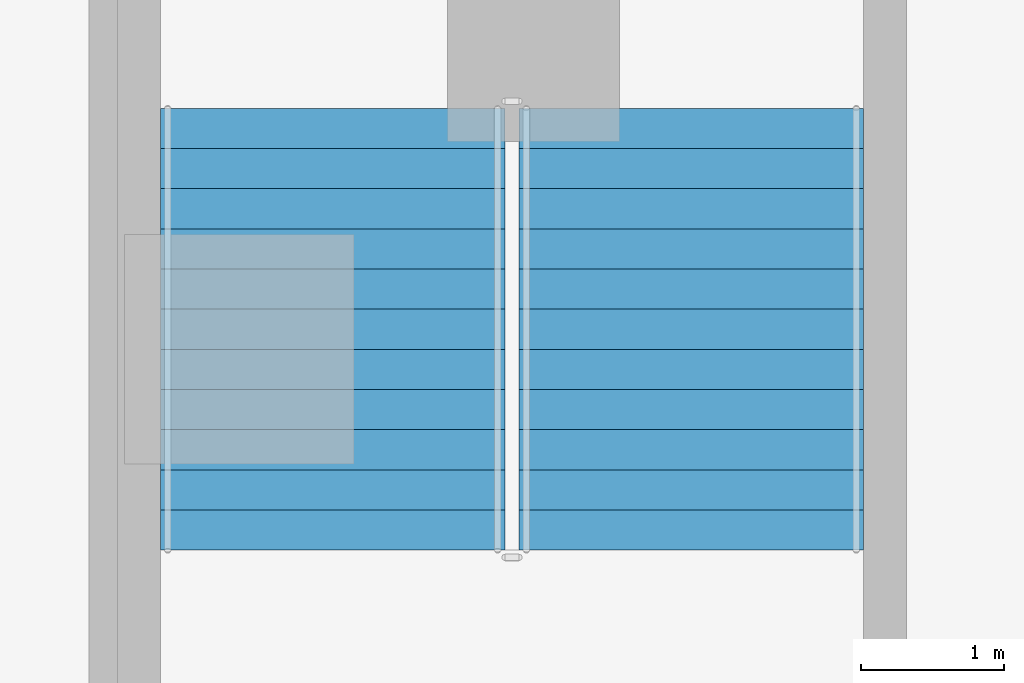
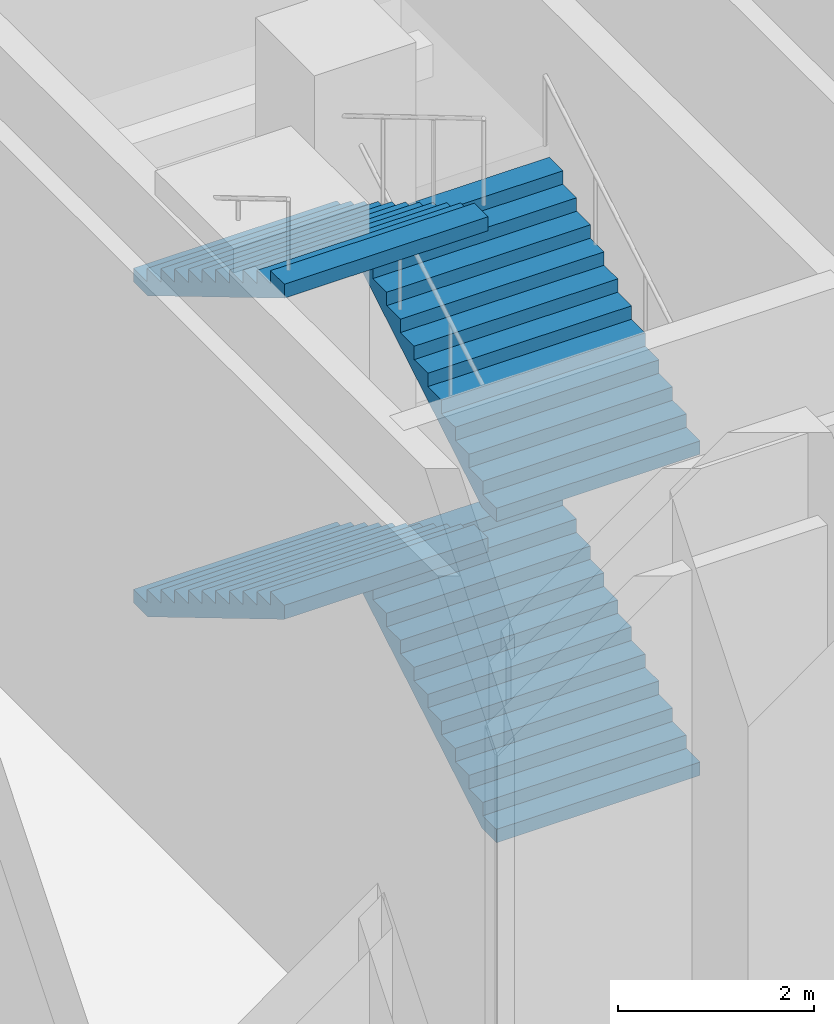
# One storey, part 42 of 54: 4 stair flights, 1 element without a shape of its own.
"""IFC4 building model written with IfcOpenShell, lengths in metres."""

from ifc_helpers import new_model, si_unit, direction, frame, origin, place, context, subcontext, project, spatial, triangles, source, transform, mapped, material, type_object, element, aggregate, save


model = new_model("IFC4")

# Units and contexts
model_context = context("Model", 3, precision=1e-05, world=origin(), true_north=direction((0.0, 1.0)))
body_context = subcontext(model_context, "Body", "Model", "MODEL_VIEW")
ifc_project = project(units=[si_unit("LENGTHUNIT", "METRE"), si_unit("AREAUNIT", "SQUARE_METRE"), si_unit("VOLUMEUNIT", "CUBIC_METRE"), si_unit("PLANEANGLEUNIT", "RADIAN"), si_unit("MASSUNIT", "GRAM", prefix="KILO")], contexts=[model_context])

# Site, building, storey
site_placement = place(None, origin())
site = spatial("IfcSite", under=ifc_project, at=site_placement, CompositionType="ELEMENT")
building_placement = place(site_placement, origin())
building = spatial("IfcBuilding", under=site, at=building_placement, Name="Ogive Portal Towers", CompositionType="ELEMENT")
storey_placement = place(building_placement, origin())
storey = spatial("IfcBuildingStorey", under=building, at=storey_placement, Name="L00", CompositionType="ELEMENT", Elevation=0.0)

# Stair, stair flights
ifc_material = material(Name="Concrete C40/50", Category="concrete")
stair_type = type_object("IfcStairType", Name="INT-STAIR", PredefinedType="HALF_TURN_STAIR", material=ifc_material)
stair_placement = place(storey_placement, origin())
stair = element("IfcStair", 1, at=stair_placement, inside=storey, type_object=stair_type, Name="L00 Exit Stair ST-P1", PredefinedType="HALF_TURN_STAIR")
stair_flight_type = type_object("IfcStairFlightType", Name="INT-FLIGHT", PredefinedType="STRAIGHT", material=ifc_material)
shared_shape = source(origin(), body_context, "Body", "Tessellation", [
    triangles([(0.0, -1.199951171875, 0.0), (0.0, -0.6943359375, 0.0), (0.0, -0.35546875, 0.0), (0.0, -0.14990234375, 0.0), (0.0, -0.04443359375, 0.0), (0.0, -0.005615234375, 0.0), (0.0, 0.0, 0.0), (0.0, 0.005615234375, 0.0), (0.0, 0.04443359375, 0.0), (0.0, 0.14990234375, 0.0), (0.0, 0.35546875, 0.0), (0.0, 0.6943359375, 0.0), (0.0, 1.199951171875, 0.0), (0.0, -1.199951171875, 0.166748046875), (0.0, -0.6943359375, 0.166748046875), (0.0, -0.35546875, 0.166748046875), (0.0, -0.14990234375, 0.166748046875), (0.0, -0.04443359375, 0.166748046875), (0.0, -0.005615234375, 0.166748046875), (0.0, 0.0, 0.166748046875), (0.0, 0.005615234375, 0.166748046875), (0.0, 0.04443359375, 0.166748046875), (0.0, 0.14990234375, 0.166748046875), (0.0, 0.35546875, 0.166748046875), (0.0, 0.6943359375, 0.166748046875), (0.0, 1.199951171875, 0.166748046875), (0.280029296875, -1.199951171875, 0.166748046875), (0.280029296875, -0.6943359375, 0.166748046875), (0.280029296875, -0.35546875, 0.166748046875), (0.280029296875, -0.14990234375, 0.166748046875), (0.280029296875, -0.04443359375, 0.166748046875), (0.280029296875, -0.005615234375, 0.166748046875), (0.280029296875, 0.0, 0.166748046875), (0.280029296875, 0.005615234375, 0.166748046875), (0.280029296875, 0.04443359375, 0.166748046875), (0.280029296875, 0.14990234375, 0.166748046875), (0.280029296875, 0.35546875, 0.166748046875), (0.280029296875, 0.6943359375, 0.166748046875), (0.280029296875, 1.199951171875, 0.166748046875), (0.280029296875, -1.199951171875, 0.333251953125), (0.280029296875, -0.6943359375, 0.333251953125), (0.280029296875, -0.35546875, 0.333251953125), (0.280029296875, -0.14990234375, 0.333251953125), (0.280029296875, -0.04443359375, 0.333251953125), (0.280029296875, -0.005615234375, 0.333251953125), (0.280029296875, 0.0, 0.333251953125), (0.280029296875, 0.005615234375, 0.333251953125), (0.280029296875, 0.04443359375, 0.333251953125), (0.280029296875, 0.14990234375, 0.333251953125), (0.280029296875, 0.35546875, 0.333251953125), (0.280029296875, 0.6943359375, 0.333251953125), (0.280029296875, 1.199951171875, 0.333251953125), (0.56005859375, -1.199951171875, 0.333251953125), (0.56005859375, -0.6943359375, 0.333251953125), (0.56005859375, -0.35546875, 0.333251953125), (0.56005859375, -0.14990234375, 0.333251953125), (0.56005859375, -0.04443359375, 0.333251953125), (0.56005859375, -0.005615234375, 0.333251953125), (0.56005859375, 0.0, 0.333251953125), (0.56005859375, 0.005615234375, 0.333251953125), (0.56005859375, 0.04443359375, 0.333251953125), (0.56005859375, 0.14990234375, 0.333251953125), (0.56005859375, 0.35546875, 0.333251953125), (0.56005859375, 0.6943359375, 0.333251953125), (0.56005859375, 1.199951171875, 0.333251953125), (0.56005859375, -1.199951171875, 0.5), (0.56005859375, -0.6943359375, 0.5), (0.56005859375, -0.35546875, 0.5), (0.56005859375, -0.14990234375, 0.5), (0.56005859375, -0.04443359375, 0.5), (0.56005859375, -0.005615234375, 0.5), (0.56005859375, 0.0, 0.5), (0.56005859375, 0.005615234375, 0.5), (0.56005859375, 0.04443359375, 0.5), (0.56005859375, 0.14990234375, 0.5), (0.56005859375, 0.35546875, 0.5), (0.56005859375, 0.6943359375, 0.5), (0.56005859375, 1.199951171875, 0.5), (0.840087890625, -1.199951171875, 0.5), (0.840087890625, -0.6943359375, 0.5), (0.840087890625, -0.35546875, 0.5), (0.840087890625, -0.14990234375, 0.5), (0.840087890625, -0.04443359375, 0.5), (0.840087890625, -0.005615234375, 0.5), (0.840087890625, 0.0, 0.5), (0.840087890625, 0.005615234375, 0.5), (0.840087890625, 0.04443359375, 0.5), (0.840087890625, 0.14990234375, 0.5), (0.840087890625, 0.35546875, 0.5), (0.840087890625, 0.6943359375, 0.5), (0.840087890625, 1.199951171875, 0.5), (0.840087890625, -1.199951171875, 0.666748046875), (0.840087890625, -0.6943359375, 0.666748046875), (0.840087890625, -0.35546875, 0.666748046875), (0.840087890625, -0.14990234375, 0.666748046875), (0.840087890625, -0.04443359375, 0.666748046875), (0.840087890625, -0.005615234375, 0.666748046875), (0.840087890625, 0.0, 0.666748046875), (0.840087890625, 0.005615234375, 0.666748046875), (0.840087890625, 0.04443359375, 0.666748046875), (0.840087890625, 0.14990234375, 0.666748046875), (0.840087890625, 0.35546875, 0.666748046875), (0.840087890625, 0.6943359375, 0.666748046875), (0.840087890625, 1.199951171875, 0.666748046875), (1.1201171875, -1.199951171875, 0.666748046875), (1.1201171875, -0.6943359375, 0.666748046875), (1.1201171875, -0.35546875, 0.666748046875), (1.1201171875, -0.14990234375, 0.666748046875), (1.1201171875, -0.04443359375, 0.666748046875), (1.1201171875, -0.005615234375, 0.666748046875), (1.1201171875, 0.0, 0.666748046875), (1.1201171875, 0.005615234375, 0.666748046875), (1.1201171875, 0.04443359375, 0.666748046875), (1.1201171875, 0.14990234375, 0.666748046875), (1.1201171875, 0.35546875, 0.666748046875), (1.1201171875, 0.6943359375, 0.666748046875), (1.1201171875, 1.199951171875, 0.666748046875), (1.1201171875, -1.199951171875, 0.833251953125), (1.1201171875, -0.6943359375, 0.833251953125), (1.1201171875, -0.35546875, 0.833251953125), (1.1201171875, -0.14990234375, 0.833251953125), (1.1201171875, -0.04443359375, 0.833251953125), (1.1201171875, -0.005615234375, 0.833251953125), (1.1201171875, 0.0, 0.833251953125), (1.1201171875, 0.005615234375, 0.833251953125), (1.1201171875, 0.04443359375, 0.833251953125), (1.1201171875, 0.14990234375, 0.833251953125), (1.1201171875, 0.35546875, 0.833251953125), (1.1201171875, 0.6943359375, 0.833251953125), (1.1201171875, 1.199951171875, 0.833251953125), (1.39990234375, -1.199951171875, 0.833251953125), (1.39990234375, -0.6943359375, 0.833251953125), (1.39990234375, -0.35546875, 0.833251953125), (1.39990234375, -0.14990234375, 0.833251953125), (1.39990234375, -0.04443359375, 0.833251953125), (1.39990234375, -0.005615234375, 0.833251953125), (1.39990234375, 0.0, 0.833251953125), (1.39990234375, 0.005615234375, 0.833251953125), (1.39990234375, 0.04443359375, 0.833251953125), (1.39990234375, 0.14990234375, 0.833251953125), (1.39990234375, 0.35546875, 0.833251953125), (1.39990234375, 0.6943359375, 0.833251953125), (1.39990234375, 1.199951171875, 0.833251953125), (1.39990234375, -1.199951171875, 1.0), (1.39990234375, -0.6943359375, 1.0), (1.39990234375, -0.35546875, 1.0), (1.39990234375, -0.14990234375, 1.0), (1.39990234375, -0.04443359375, 1.0), (1.39990234375, -0.005615234375, 1.0), (1.39990234375, 0.0, 1.0), (1.39990234375, 0.005615234375, 1.0), (1.39990234375, 0.04443359375, 1.0), (1.39990234375, 0.14990234375, 1.0), (1.39990234375, 0.35546875, 1.0), (1.39990234375, 0.6943359375, 1.0), (1.39990234375, 1.199951171875, 1.0), (1.679931640625, -1.199951171875, 1.0), (1.679931640625, -0.6943359375, 1.0), (1.679931640625, -0.35546875, 1.0), (1.679931640625, -0.14990234375, 1.0), (1.679931640625, -0.04443359375, 1.0), (1.679931640625, -0.005615234375, 1.0), (1.679931640625, 0.0, 1.0), (1.679931640625, 0.005615234375, 1.0), (1.679931640625, 0.04443359375, 1.0), (1.679931640625, 0.14990234375, 1.0), (1.679931640625, 0.35546875, 1.0), (1.679931640625, 0.6943359375, 1.0), (1.679931640625, 1.199951171875, 1.0), (1.679931640625, -1.199951171875, 1.166748046875), (1.679931640625, -0.6943359375, 1.166748046875), (1.679931640625, -0.35546875, 1.166748046875), (1.679931640625, -0.14990234375, 1.166748046875), (1.679931640625, -0.04443359375, 1.166748046875), (1.679931640625, -0.005615234375, 1.166748046875), (1.679931640625, 0.0, 1.166748046875), (1.679931640625, 0.005615234375, 1.166748046875), (1.679931640625, 0.04443359375, 1.166748046875), (1.679931640625, 0.14990234375, 1.166748046875), (1.679931640625, 0.35546875, 1.166748046875), (1.679931640625, 0.6943359375, 1.166748046875), (1.679931640625, 1.199951171875, 1.166748046875), (1.9599609375, -1.199951171875, 1.166748046875), (1.9599609375, -0.6943359375, 1.166748046875), (1.9599609375, -0.35546875, 1.166748046875), (1.9599609375, -0.14990234375, 1.166748046875), (1.9599609375, -0.04443359375, 1.166748046875), (1.9599609375, -0.005615234375, 1.166748046875), (1.9599609375, 0.0, 1.166748046875), (1.9599609375, 0.005615234375, 1.166748046875), (1.9599609375, 0.04443359375, 1.166748046875), (1.9599609375, 0.14990234375, 1.166748046875), (1.9599609375, 0.35546875, 1.166748046875), (1.9599609375, 0.6943359375, 1.166748046875), (1.9599609375, 1.199951171875, 1.166748046875), (1.9599609375, -1.199951171875, 1.333251953125), (1.9599609375, -0.6943359375, 1.333251953125), (1.9599609375, -0.35546875, 1.333251953125), (1.9599609375, -0.14990234375, 1.333251953125), (1.9599609375, -0.04443359375, 1.333251953125), (1.9599609375, -0.005615234375, 1.333251953125), (1.9599609375, 0.0, 1.333251953125), (1.9599609375, 0.005615234375, 1.333251953125), (1.9599609375, 0.04443359375, 1.333251953125), (1.9599609375, 0.14990234375, 1.333251953125), (1.9599609375, 0.35546875, 1.333251953125), (1.9599609375, 0.6943359375, 1.333251953125), (1.9599609375, 1.199951171875, 1.333251953125), (2.239990234375, -1.199951171875, 1.333251953125), (2.239990234375, -0.6943359375, 1.333251953125), (2.239990234375, -0.35546875, 1.333251953125), (2.239990234375, -0.14990234375, 1.333251953125), (2.239990234375, -0.04443359375, 1.333251953125), (2.239990234375, -0.005615234375, 1.333251953125), (2.239990234375, 0.0, 1.333251953125), (2.239990234375, 0.005615234375, 1.333251953125), (2.239990234375, 0.04443359375, 1.333251953125), (2.239990234375, 0.14990234375, 1.333251953125), (2.239990234375, 0.35546875, 1.333251953125), (2.239990234375, 0.6943359375, 1.333251953125), (2.239990234375, 1.199951171875, 1.333251953125), (2.239990234375, -1.199951171875, 1.5), (2.239990234375, -0.6943359375, 1.5), (2.239990234375, -0.35546875, 1.5), (2.239990234375, -0.14990234375, 1.5), (2.239990234375, -0.04443359375, 1.5), (2.239990234375, -0.005615234375, 1.5), (2.239990234375, 0.0, 1.5), (2.239990234375, 0.005615234375, 1.5), (2.239990234375, 0.04443359375, 1.5), (2.239990234375, 0.14990234375, 1.5), (2.239990234375, 0.35546875, 1.5), (2.239990234375, 0.6943359375, 1.5), (2.239990234375, 1.199951171875, 1.5), (2.52001953125, -1.199951171875, 1.5), (2.52001953125, -0.6943359375, 1.5), (2.52001953125, -0.35546875, 1.5), (2.52001953125, -0.14990234375, 1.5), (2.52001953125, -0.04443359375, 1.5), (2.52001953125, -0.005615234375, 1.5), (2.52001953125, 0.0, 1.5), (2.52001953125, 0.005615234375, 1.5), (2.52001953125, 0.04443359375, 1.5), (2.52001953125, 0.14990234375, 1.5), (2.52001953125, 0.35546875, 1.5), (2.52001953125, 0.6943359375, 1.5), (2.52001953125, 1.199951171875, 1.5), (2.52001953125, -1.199951171875, 1.666748046875), (2.52001953125, -0.6943359375, 1.666748046875), (2.52001953125, -0.35546875, 1.666748046875), (2.52001953125, -0.14990234375, 1.666748046875), (2.52001953125, -0.04443359375, 1.666748046875), (2.52001953125, -0.005615234375, 1.666748046875), (2.52001953125, 0.0, 1.666748046875), (2.52001953125, 0.005615234375, 1.666748046875), (2.52001953125, 0.04443359375, 1.666748046875), (2.52001953125, 0.14990234375, 1.666748046875), (2.52001953125, 0.35546875, 1.666748046875), (2.52001953125, 0.6943359375, 1.666748046875), (2.52001953125, 1.199951171875, 1.666748046875), (2.800048828125, -1.199951171875, 1.666748046875), (2.800048828125, -0.6943359375, 1.666748046875), (2.800048828125, -0.35546875, 1.666748046875), (2.800048828125, -0.14990234375, 1.666748046875), (2.800048828125, -0.04443359375, 1.666748046875), (2.800048828125, -0.005615234375, 1.666748046875), (2.800048828125, 0.0, 1.666748046875), (2.800048828125, 0.005615234375, 1.666748046875), (2.800048828125, 0.04443359375, 1.666748046875), (2.800048828125, 0.14990234375, 1.666748046875), (2.800048828125, 0.35546875, 1.666748046875), (2.800048828125, 0.6943359375, 1.666748046875), (2.800048828125, 1.199951171875, 1.666748046875), (2.800048828125, -1.199951171875, 1.833251953125), (2.800048828125, -0.6943359375, 1.833251953125), (2.800048828125, -0.35546875, 1.833251953125), (2.800048828125, -0.14990234375, 1.833251953125), (2.800048828125, -0.04443359375, 1.833251953125), (2.800048828125, -0.005615234375, 1.833251953125), (2.800048828125, 0.0, 1.833251953125), (2.800048828125, 0.005615234375, 1.833251953125), (2.800048828125, 0.04443359375, 1.833251953125), (2.800048828125, 0.14990234375, 1.833251953125), (2.800048828125, 0.35546875, 1.833251953125), (2.800048828125, 0.6943359375, 1.833251953125), (2.800048828125, 1.199951171875, 1.833251953125), (3.080078125, -1.199951171875, 1.833251953125), (3.080078125, -0.6943359375, 1.833251953125), (3.080078125, -0.35546875, 1.833251953125), (3.080078125, -0.14990234375, 1.833251953125), (3.080078125, -0.04443359375, 1.833251953125), (3.080078125, -0.005615234375, 1.833251953125), (3.080078125, 0.0, 1.833251953125), (3.080078125, 0.005615234375, 1.833251953125), (3.080078125, 0.04443359375, 1.833251953125), (3.080078125, 0.14990234375, 1.833251953125), (3.080078125, 0.35546875, 1.833251953125), (3.080078125, 0.6943359375, 1.833251953125), (3.080078125, 1.199951171875, 1.833251953125), (3.080078125, -1.199951171875, 1.658935546875), (3.080078125, -0.6943359375, 1.658935546875), (3.080078125, -0.35546875, 1.658935546875), (3.080078125, -0.14990234375, 1.658935546875), (3.080078125, -0.04443359375, 1.658935546875), (3.080078125, -0.005615234375, 1.658935546875), (3.080078125, 0.0, 1.658935546875), (3.080078125, 0.005615234375, 1.658935546875), (3.080078125, 0.04443359375, 1.658935546875), (3.080078125, 0.14990234375, 1.658935546875), (3.080078125, 0.35546875, 1.658935546875), (3.080078125, 0.6943359375, 1.658935546875), (3.080078125, 1.199951171875, 1.658935546875), (0.29296875, -1.199951171875, 0.0), (0.29296875, -0.6943359375, 0.0), (0.29296875, -0.35546875, 0.0), (0.29296875, -0.14990234375, 0.0), (0.29296875, -0.04443359375, 0.0), (0.29296875, -0.005615234375, 0.0), (0.29296875, 0.0, 0.0), (0.29296875, 0.005615234375, 0.0), (0.29296875, 0.04443359375, 0.0), (0.29296875, 0.14990234375, 0.0), (0.29296875, 0.35546875, 0.0), (0.29296875, 0.6943359375, 0.0), (0.29296875, 1.199951171875, 0.0)], [[1, 14, 15], [1, 15, 2], [2, 15, 16], [2, 16, 3], [3, 16, 17], [3, 17, 4], [4, 17, 18], [4, 18, 5], [5, 18, 19], [5, 19, 6], [6, 19, 20], [6, 20, 7], [7, 20, 21], [7, 21, 8], [8, 21, 22], [8, 22, 9], [9, 22, 23], [9, 23, 10], [10, 23, 24], [10, 24, 11], [11, 24, 25], [11, 25, 12], [12, 25, 26], [12, 26, 13], [14, 27, 28], [14, 28, 15], [15, 28, 29], [15, 29, 16], [16, 29, 30], [16, 30, 17], [17, 30, 31], [17, 31, 18], [18, 31, 32], [18, 32, 19], [19, 32, 33], [19, 33, 20], [20, 33, 34], [20, 34, 21], [21, 34, 35], [21, 35, 22], [22, 35, 36], [22, 36, 23], [23, 36, 37], [23, 37, 24], [24, 37, 38], [24, 38, 25], [25, 38, 39], [25, 39, 26], [27, 40, 41], [27, 41, 28], [28, 41, 42], [28, 42, 29], [29, 42, 43], [29, 43, 30], [30, 43, 44], [30, 44, 31], [31, 44, 45], [31, 45, 32], [32, 45, 46], [32, 46, 33], [33, 46, 47], [33, 47, 34], [34, 47, 48], [34, 48, 35], [35, 48, 49], [35, 49, 36], [36, 49, 50], [36, 50, 37], [37, 50, 51], [37, 51, 38], [38, 51, 52], [38, 52, 39], [40, 53, 54], [40, 54, 41], [41, 54, 55], [41, 55, 42], [42, 55, 56], [42, 56, 43], [43, 56, 57], [43, 57, 44], [44, 57, 58], [44, 58, 45], [45, 58, 59], [45, 59, 46], [46, 59, 60], [46, 60, 47], [47, 60, 61], [47, 61, 48], [48, 61, 62], [48, 62, 49], [49, 62, 63], [49, 63, 50], [50, 63, 64], [50, 64, 51], [51, 64, 65], [51, 65, 52], [53, 66, 67], [53, 67, 54], [54, 67, 68], [54, 68, 55], [55, 68, 69], [55, 69, 56], [56, 69, 70], [56, 70, 57], [57, 70, 71], [57, 71, 58], [58, 71, 72], [58, 72, 59], [59, 72, 73], [59, 73, 60], [60, 73, 74], [60, 74, 61], [61, 74, 75], [61, 75, 62], [62, 75, 76], [62, 76, 63], [63, 76, 77], [63, 77, 64], [64, 77, 78], [64, 78, 65], [66, 79, 80], [66, 80, 67], [67, 80, 81], [67, 81, 68], [68, 81, 82], [68, 82, 69], [69, 82, 83], [69, 83, 70], [70, 83, 84], [70, 84, 71], [71, 84, 85], [71, 85, 72], [72, 85, 86], [72, 86, 73], [73, 86, 87], [73, 87, 74], [74, 87, 88], [74, 88, 75], [75, 88, 89], [75, 89, 76], [76, 89, 90], [76, 90, 77], [77, 90, 91], [77, 91, 78], [79, 92, 93], [79, 93, 80], [80, 93, 94], [80, 94, 81], [81, 94, 95], [81, 95, 82], [82, 95, 96], [82, 96, 83], [83, 96, 97], [83, 97, 84], [84, 97, 98], [84, 98, 85], [85, 98, 99], [85, 99, 86], [86, 99, 100], [86, 100, 87], [87, 100, 101], [87, 101, 88], [88, 101, 102], [88, 102, 89], [89, 102, 103], [89, 103, 90], [90, 103, 104], [90, 104, 91], [92, 105, 106], [92, 106, 93], [93, 106, 107], [93, 107, 94], [94, 107, 108], [94, 108, 95], [95, 108, 109], [95, 109, 96], [96, 109, 110], [96, 110, 97], [97, 110, 111], [97, 111, 98], [98, 111, 112], [98, 112, 99], [99, 112, 113], [99, 113, 100], [100, 113, 114], [100, 114, 101], [101, 114, 115], [101, 115, 102], [102, 115, 116], [102, 116, 103], [103, 116, 117], [103, 117, 104], [105, 118, 119], [105, 119, 106], [106, 119, 120], [106, 120, 107], [107, 120, 121], [107, 121, 108], [108, 121, 122], [108, 122, 109], [109, 122, 123], [109, 123, 110], [110, 123, 124], [110, 124, 111], [111, 124, 125], [111, 125, 112], [112, 125, 126], [112, 126, 113], [113, 126, 127], [113, 127, 114], [114, 127, 128], [114, 128, 115], [115, 128, 129], [115, 129, 116], [116, 129, 130], [116, 130, 117], [118, 131, 132], [118, 132, 119], [119, 132, 133], [119, 133, 120], [120, 133, 134], [120, 134, 121], [121, 134, 135], [121, 135, 122], [122, 135, 136], [122, 136, 123], [123, 136, 137], [123, 137, 124], [124, 137, 138], [124, 138, 125], [125, 138, 139], [125, 139, 126], [126, 139, 140], [126, 140, 127], [127, 140, 141], [127, 141, 128], [128, 141, 142], [128, 142, 129], [129, 142, 143], [129, 143, 130], [131, 144, 145], [131, 145, 132], [132, 145, 146], [132, 146, 133], [133, 146, 147], [133, 147, 134], [134, 147, 148], [134, 148, 135], [135, 148, 149], [135, 149, 136], [136, 149, 150], [136, 150, 137], [137, 150, 151], [137, 151, 138], [138, 151, 152], [138, 152, 139], [139, 152, 153], [139, 153, 140], [140, 153, 154], [140, 154, 141], [141, 154, 155], [141, 155, 142], [142, 155, 156], [142, 156, 143], [144, 157, 158], [144, 158, 145], [145, 158, 159], [145, 159, 146], [146, 159, 160], [146, 160, 147], [147, 160, 161], [147, 161, 148], [148, 161, 162], [148, 162, 149], [149, 162, 163], [149, 163, 150], [150, 163, 164], [150, 164, 151], [151, 164, 165], [151, 165, 152], [152, 165, 166], [152, 166, 153], [153, 166, 167], [153, 167, 154], [154, 167, 168], [154, 168, 155], [155, 168, 169], [155, 169, 156], [157, 170, 171], [157, 171, 158], [158, 171, 172], [158, 172, 159], [159, 172, 173], [159, 173, 160], [160, 173, 174], [160, 174, 161], [161, 174, 175], [161, 175, 162], [162, 175, 176], [162, 176, 163], [163, 176, 177], [163, 177, 164], [164, 177, 178], [164, 178, 165], [165, 178, 179], [165, 179, 166], [166, 179, 180], [166, 180, 167], [167, 180, 181], [167, 181, 168], [168, 181, 182], [168, 182, 169], [170, 183, 184], [170, 184, 171], [171, 184, 185], [171, 185, 172], [172, 185, 186], [172, 186, 173], [173, 186, 187], [173, 187, 174], [174, 187, 188], [174, 188, 175], [175, 188, 189], [175, 189, 176], [176, 189, 190], [176, 190, 177], [177, 190, 191], [177, 191, 178], [178, 191, 192], [178, 192, 179], [179, 192, 193], [179, 193, 180], [180, 193, 194], [180, 194, 181], [181, 194, 195], [181, 195, 182], [183, 196, 197], [183, 197, 184], [184, 197, 198], [184, 198, 185], [185, 198, 199], [185, 199, 186], [186, 199, 200], [186, 200, 187], [187, 200, 201], [187, 201, 188], [188, 201, 202], [188, 202, 189], [189, 202, 203], [189, 203, 190], [190, 203, 204], [190, 204, 191], [191, 204, 205], [191, 205, 192], [192, 205, 206], [192, 206, 193], [193, 206, 207], [193, 207, 194], [194, 207, 208], [194, 208, 195], [196, 209, 210], [196, 210, 197], [197, 210, 211], [197, 211, 198], [198, 211, 212], [198, 212, 199], [199, 212, 213], [199, 213, 200], [200, 213, 214], [200, 214, 201], [201, 214, 215], [201, 215, 202], [202, 215, 216], [202, 216, 203], [203, 216, 217], [203, 217, 204], [204, 217, 218], [204, 218, 205], [205, 218, 219], [205, 219, 206], [206, 219, 220], [206, 220, 207], [207, 220, 221], [207, 221, 208], [209, 222, 223], [209, 223, 210], [210, 223, 224], [210, 224, 211], [211, 224, 225], [211, 225, 212], [212, 225, 226], [212, 226, 213], [213, 226, 227], [213, 227, 214], [214, 227, 228], [214, 228, 215], [215, 228, 229], [215, 229, 216], [216, 229, 230], [216, 230, 217], [217, 230, 231], [217, 231, 218], [218, 231, 232], [218, 232, 219], [219, 232, 233], [219, 233, 220], [220, 233, 234], [220, 234, 221], [222, 235, 236], [222, 236, 223], [223, 236, 237], [223, 237, 224], [224, 237, 238], [224, 238, 225], [225, 238, 239], [225, 239, 226], [226, 239, 240], [226, 240, 227], [227, 240, 241], [227, 241, 228], [228, 241, 242], [228, 242, 229], [229, 242, 243], [229, 243, 230], [230, 243, 244], [230, 244, 231], [231, 244, 245], [231, 245, 232], [232, 245, 246], [232, 246, 233], [233, 246, 247], [233, 247, 234], [235, 248, 249], [235, 249, 236], [236, 249, 250], [236, 250, 237], [237, 250, 251], [237, 251, 238], [238, 251, 252], [238, 252, 239], [239, 252, 253], [239, 253, 240], [240, 253, 254], [240, 254, 241], [241, 254, 255], [241, 255, 242], [242, 255, 256], [242, 256, 243], [243, 256, 257], [243, 257, 244], [244, 257, 258], [244, 258, 245], [245, 258, 259], [245, 259, 246], [246, 259, 260], [246, 260, 247], [248, 261, 262], [248, 262, 249], [249, 262, 263], [249, 263, 250], [250, 263, 264], [250, 264, 251], [251, 264, 265], [251, 265, 252], [252, 265, 266], [252, 266, 253], [253, 266, 267], [253, 267, 254], [254, 267, 268], [254, 268, 255], [255, 268, 269], [255, 269, 256], [256, 269, 270], [256, 270, 257], [257, 270, 271], [257, 271, 258], [258, 271, 272], [258, 272, 259], [259, 272, 273], [259, 273, 260], [261, 274, 275], [261, 275, 262], [262, 275, 276], [262, 276, 263], [263, 276, 277], [263, 277, 264], [264, 277, 278], [264, 278, 265], [265, 278, 279], [265, 279, 266], [266, 279, 280], [266, 280, 267], [267, 280, 281], [267, 281, 268], [268, 281, 282], [268, 282, 269], [269, 282, 283], [269, 283, 270], [270, 283, 284], [270, 284, 271], [271, 284, 285], [271, 285, 272], [272, 285, 286], [272, 286, 273], [274, 287, 288], [274, 288, 275], [275, 288, 289], [275, 289, 276], [276, 289, 290], [276, 290, 277], [277, 290, 291], [277, 291, 278], [278, 291, 292], [278, 292, 279], [279, 292, 293], [279, 293, 280], [280, 293, 294], [280, 294, 281], [281, 294, 295], [281, 295, 282], [282, 295, 296], [282, 296, 283], [283, 296, 297], [283, 297, 284], [284, 297, 298], [284, 298, 285], [285, 298, 299], [285, 299, 286], [287, 300, 301], [287, 301, 288], [288, 301, 302], [288, 302, 289], [289, 302, 303], [289, 303, 290], [290, 303, 304], [290, 304, 291], [291, 304, 305], [291, 305, 292], [292, 305, 306], [292, 306, 293], [293, 306, 307], [293, 307, 294], [294, 307, 308], [294, 308, 295], [295, 308, 309], [295, 309, 296], [296, 309, 310], [296, 310, 297], [297, 310, 311], [297, 311, 298], [298, 311, 312], [298, 312, 299], [300, 313, 314], [300, 314, 301], [301, 314, 315], [301, 315, 302], [302, 315, 316], [302, 316, 303], [303, 316, 317], [303, 317, 304], [304, 317, 318], [304, 318, 305], [305, 318, 319], [305, 319, 306], [306, 319, 320], [306, 320, 307], [307, 320, 321], [307, 321, 308], [308, 321, 322], [308, 322, 309], [309, 322, 323], [309, 323, 310], [310, 323, 324], [310, 324, 311], [311, 324, 325], [311, 325, 312], [313, 1, 2], [313, 2, 314], [314, 2, 3], [314, 3, 315], [315, 3, 4], [315, 4, 316], [316, 4, 5], [316, 5, 317], [317, 5, 6], [317, 6, 318], [318, 6, 7], [318, 7, 319], [319, 7, 8], [319, 8, 320], [320, 8, 9], [320, 9, 321], [321, 9, 10], [321, 10, 322], [322, 10, 11], [322, 11, 323], [323, 11, 12], [323, 12, 324], [324, 12, 13], [324, 13, 325], [1, 313, 300], [13, 312, 325], [300, 287, 274], [312, 286, 299], [300, 274, 261], [312, 273, 286], [300, 261, 248], [312, 260, 273], [300, 248, 235], [312, 247, 260], [235, 222, 209], [247, 221, 234], [300, 235, 209], [312, 221, 247], [209, 196, 183], [221, 195, 208], [300, 209, 183], [312, 195, 221], [183, 170, 157], [195, 169, 182], [300, 183, 157], [312, 169, 195], [157, 144, 131], [169, 143, 156], [300, 157, 131], [312, 143, 169], [131, 118, 105], [143, 117, 130], [300, 131, 105], [312, 117, 143], [105, 92, 79], [117, 91, 104], [300, 105, 79], [312, 91, 117], [79, 66, 53], [91, 65, 78], [300, 79, 53], [312, 65, 91], [1, 300, 53], [13, 65, 312], [53, 40, 27], [65, 39, 52], [1, 53, 27], [13, 39, 65], [27, 14, 1], [39, 13, 26]], closed=True),
])
stair_flight_1_placement = place(storey_placement, frame((95.60009765625, 36.050048828125, 0.0), z_axis=(0.0, 0.0, 1.0), x_axis=(0.0, 1.0, 0.0)))
stair_flight_1 = element("IfcStairFlight", 2, at=stair_flight_1_placement, type_object=stair_flight_type, Name="ST-P1 flight 1", NumberOfRisers=12, NumberOfTreads=11, PredefinedType="STRAIGHT", RiserHeight=0.166666667, TreadLength=0.28, context=body_context, shape_type="MappedRepresentation", body=[
    mapped(shared_shape, transform((0.0, 0.0, 0.0), scale=1.0)),
])
stair_flight_2_placement = place(storey_placement, frame((93.10009765625, 39.1298828125, 2.0), z_axis=(0.0, 0.0, 1.0), x_axis=(0.0, -1.0, 0.0)))
stair_flight_2 = element("IfcStairFlight", 3, at=stair_flight_2_placement, type_object=stair_flight_type, Name="ST-P1 flight 2", NumberOfRisers=12, NumberOfTreads=11, PredefinedType="STRAIGHT", RiserHeight=0.166666667, TreadLength=0.28, context=body_context, shape_type="MappedRepresentation", body=[
    mapped(shared_shape, transform((0.0, 0.0, 0.0), scale=1.0)),
])
stair_flight_3_placement = place(storey_placement, frame((95.60009765625, 36.050048828125, 4.0), z_axis=(0.0, 0.0, 1.0), x_axis=(0.0, 1.0, 0.0)))
stair_flight_3 = element("IfcStairFlight", 4, at=stair_flight_3_placement, type_object=stair_flight_type, Name="ST-P1 flight 3", NumberOfRisers=12, NumberOfTreads=11, PredefinedType="STRAIGHT", RiserHeight=0.166666667, TreadLength=0.28, context=body_context, shape_type="MappedRepresentation", body=[
    mapped(shared_shape, transform((0.0, 0.0, 0.0), scale=1.0)),
])
stair_flight_4_placement = place(storey_placement, frame((93.10009765625, 39.1298828125, 6.0), z_axis=(0.0, 0.0, 1.0), x_axis=(0.0, -1.0, 0.0)))
stair_flight_4 = element("IfcStairFlight", 5, at=stair_flight_4_placement, type_object=stair_flight_type, Name="ST-P1 flight 4", NumberOfRisers=12, NumberOfTreads=11, PredefinedType="STRAIGHT", RiserHeight=0.166666667, TreadLength=0.28, context=body_context, shape_type="MappedRepresentation", body=[
    mapped(shared_shape, transform((0.0, 0.0, 0.0), scale=1.0)),
])
aggregate(stair, [stair_flight_1, stair_flight_2, stair_flight_3, stair_flight_4])

save(model, "model.ifc")
